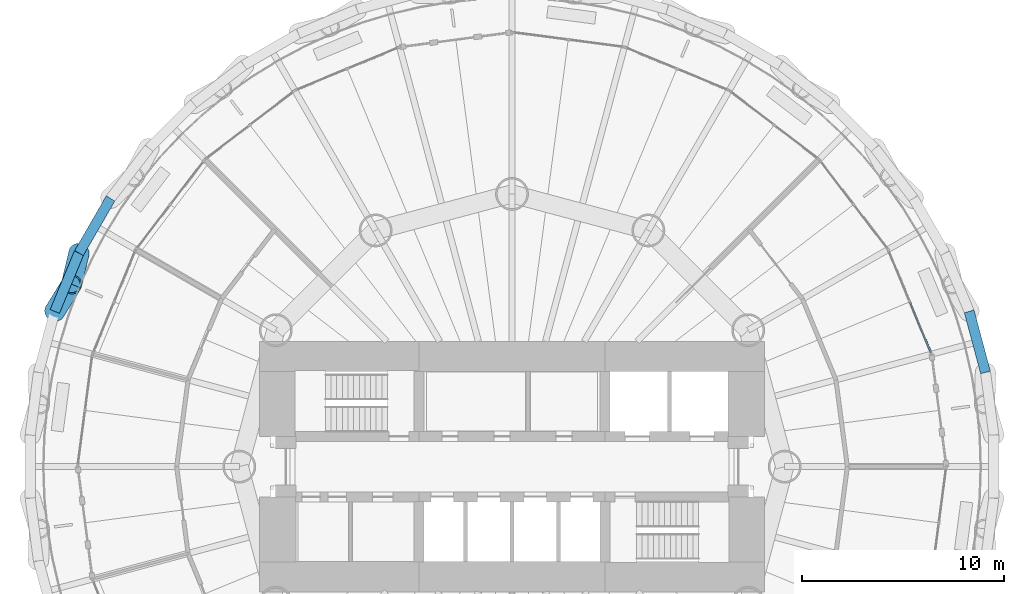
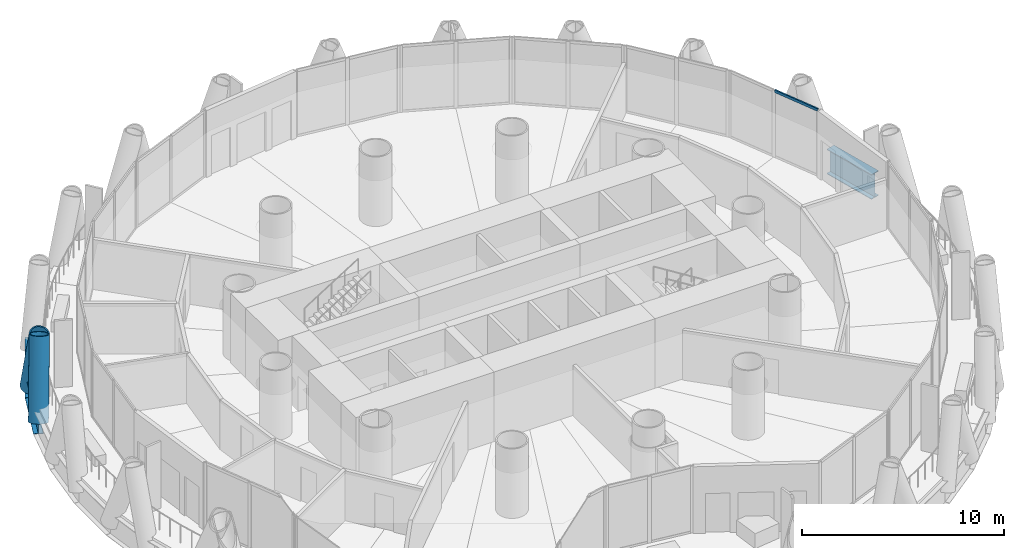
# One storey, part 5 of 15: 3 beams, 3 members, 1 element without a shape of its own.
"""IFC4 building model written with IfcOpenShell, lengths in metres."""

from ifc_helpers import new_model, si_unit, direction, frame, origin, origin_2d, place, context, subcontext, project, spatial, rectangle, hollow_circle, i_section, extrude, material, material_profile, profile_set, type_object, element, aggregate, save


model = new_model("IFC4")

# Units and contexts
model_context = context("Model", 3, precision=1e-05, world=origin(), true_north=direction((0.0, 1.0)))
body_context = subcontext(model_context, "Body", "Model", "MODEL_VIEW")
ifc_project = project(units=[si_unit("LENGTHUNIT", "METRE"), si_unit("AREAUNIT", "SQUARE_METRE"), si_unit("VOLUMEUNIT", "CUBIC_METRE"), si_unit("PLANEANGLEUNIT", "RADIAN"), si_unit("MASSUNIT", "GRAM", prefix="KILO")], contexts=[model_context])

# Site, building, storey
site_placement = place(None, origin())
site = spatial("IfcSite", under=ifc_project, at=site_placement, CompositionType="ELEMENT")
building_placement = place(site_placement, origin())
building = spatial("IfcBuilding", under=site, at=building_placement, Name="Qaws Media Tower", CompositionType="ELEMENT")
storey_placement = place(building_placement, frame((0.0, 0.0, 198.199951171875)))
storey = spatial("IfcBuildingStorey", under=building, at=storey_placement, Name="L45", CompositionType="ELEMENT", Elevation=198.199951171875)

# Curtain wall, member
ifc_material_1 = material(Name="Aluminium and clear glass", Category="aluminium")
curtain_wall_type = type_object("IfcCurtainWallType", Name="Unitised curtain wall CW-C", PredefinedType="NOTDEFINED", material=ifc_material_1)
curtain_wall_placement = place(storey_placement, origin())
curtain_wall = element("IfcCurtainWall", 1, at=curtain_wall_placement, inside=storey, type_object=curtain_wall_type, Name="CWC curtain wall L45-02", PredefinedType="NOTDEFINED")
ifc_material_2 = material(Name="Aluminium transom", Category="aluminium")
ifc_material_profile_1 = material_profile(ifc_material_2, rectangle(XDim=0.080078125, YDim=0.159912109375, at=origin_2d()), Name="80x160")
ifc_profile_set_1 = profile_set([ifc_material_profile_1], Name="Aluminium transom")
member_type_1 = type_object("IfcMemberType", Name="Curtain wall transom 80x160", PredefinedType="USERDEFINED", material=ifc_profile_set_1)
member_placement = place(storey_placement, frame((80.73681640625, 55.638427734375, 4.0), z_axis=(-0.382691571386, 0.923876161176, 0.0), x_axis=(-0.923876161176, -0.382691571386, 0.0)))
member = element("IfcMember", 2, at=member_placement, type_object=member_type_1, Name="CWC transom 1.2", ObjectType="TRANSOM", PredefinedType="USERDEFINED", context=body_context, shape_type="SweptSolid", body=[
    extrude(rectangle(XDim=0.080078125, YDim=0.159912109375, at=origin_2d()), origin(), (0.0, 0.0, 1.0), 2.6865234375),
])
aggregate(curtain_wall, [member])

# Members
ifc_material_3 = material(Name="Steel S460", Category="steel")
ifc_material_profile_2 = material_profile(ifc_material_3, hollow_circle(Radius=0.508056640625, WallThickness=0.070068359375, at=origin_2d()), Name="CHS 1016x70")
ifc_profile_set_2 = profile_set([ifc_material_profile_2], Name="Steel S460")
member_type_2 = type_object("IfcMemberType", Name="Diagrid member CHS 1016x70", PredefinedType="USERDEFINED", material=ifc_profile_set_2)
for number, where, z_axis, x_axis, name in (
    (3, (38.564697265625, 60.57080078125, -0.909912109375), (-0.082026460481, -0.343009853976, 0.935743501103), (0.972577374839, -0.232579556178, 0.0), "DG3 diagrid L45 A11"),
    (4, (37.368408203125, 57.682373046875, -0.909912109375), (0.184507437707, 0.300531719733, 0.935755144717), (-0.85220863007, 0.523202112796, 0.0), "DG3 diagrid L45 B12"),
):
    element("IfcMember", number, at=place(storey_placement, frame(where, z_axis=z_axis, x_axis=x_axis)), inside=storey, type_object=member_type_2, Name=name, ObjectType="DIAGRID", PredefinedType="USERDEFINED", context=body_context, shape_type="SweptSolid", body=[
        extrude(hollow_circle(Radius=0.508056640625, WallThickness=0.070068359375, at=origin_2d()), origin(), (0.0, 0.0, 1.0), 4.48828125),
    ])

# Beams
ifc_material_4 = material(Name="Steel S460", Category="steel")
ifc_material_profile_3 = material_profile(ifc_material_4, i_section(OverallWidth=0.5, OverallDepth=1.5, WebThickness=0.02001953125, FlangeThickness=0.0400390625, at=origin_2d()), Name="PG 1500x500")
ifc_profile_set_3 = profile_set([ifc_material_profile_3], Name="Steel S460")
beam_type = type_object("IfcBeamType", Name="Edge ring beam PG 1500x500", PredefinedType="BEAM", material=ifc_profile_set_3)
for number, where, z_axis, x_axis, name in (
    (5, (83.440673828125, 54.66259765625, -0.909912109375), (-0.258799841546, 0.965930971662, 0.0), (-0.965930971662, -0.258799841546, 0.0), "RB4 edge ring beam L45-02"),
    (6, (40.1279296875, 63.278076171875, -0.909912109375), (-0.500044681503, -0.86599960537, 0.0), (0.86599960537, -0.500044681503, 0.0), "RB4 edge ring beam L45-20"),
):
    element("IfcBeam", number, at=place(storey_placement, frame(where, z_axis=z_axis, x_axis=x_axis)), inside=storey, type_object=beam_type, Name=name, PredefinedType="BEAM", context=body_context, shape_type="SweptSolid", body=[
        extrude(i_section(OverallWidth=0.5, OverallDepth=1.5, WebThickness=0.02001953125, FlangeThickness=0.0400390625, at=origin_2d()), origin(), (0.0, 0.0, 1.0), 3.126220703125),
    ])
beam_placement = place(storey_placement, frame((38.564697265625, 60.57080078125, -0.909912109375), z_axis=(-0.382646061572, -0.923895011115, 0.0), x_axis=(0.923895011115, -0.382646061572, 0.0)))
element("IfcBeam", 7, at=beam_placement, inside=storey, type_object=beam_type, Name="RB4 edge ring beam L45-21", PredefinedType="BEAM", context=body_context, shape_type="SweptSolid", body=[
    extrude(i_section(OverallWidth=0.5, OverallDepth=1.5, WebThickness=0.02001953125, FlangeThickness=0.0400390625, at=origin_2d()), origin(), (0.0, 0.0, 1.0), 3.12646484375),
])

save(model, "model.ifc")
